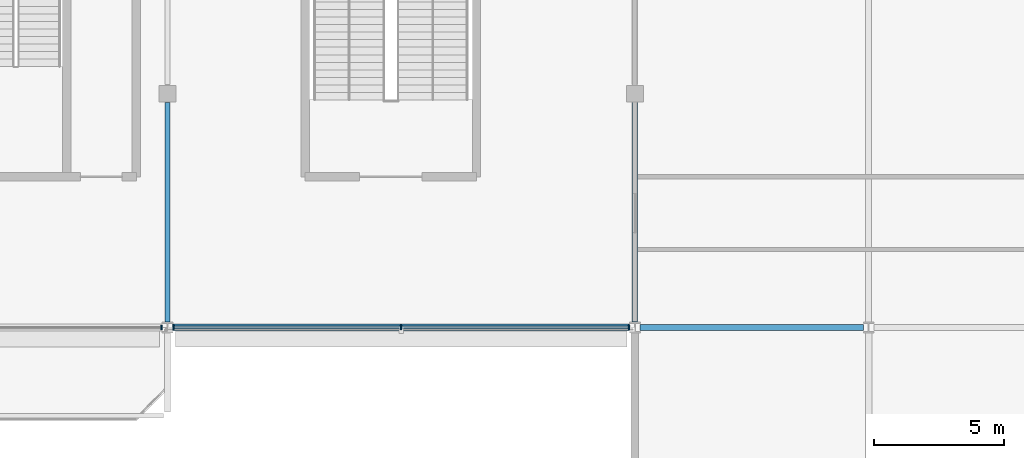
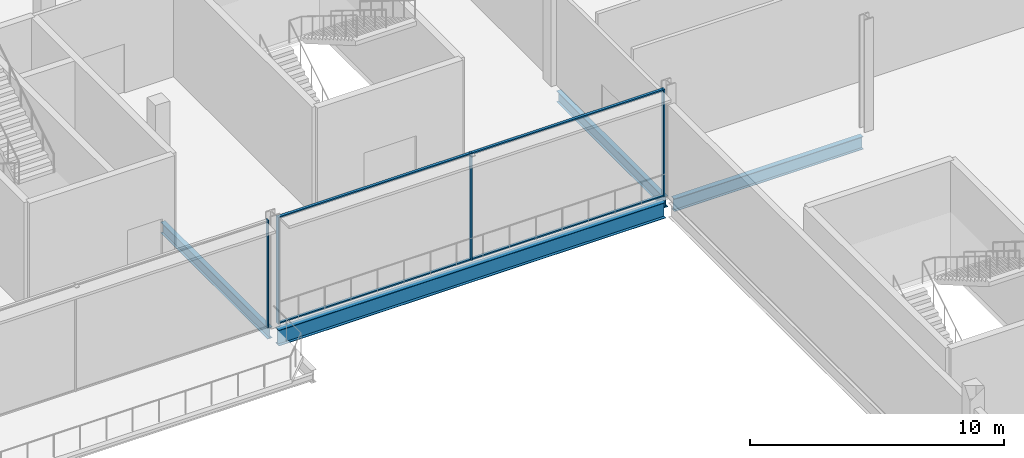
# One storey, part 54 of 113: 8 members, 4 beams, 2 elements without a shape of their own.
"""IFC4 building model written with IfcOpenShell, lengths in metres."""

from ifc_helpers import new_model, si_unit, direction, frame, origin, origin_2d, place, context, subcontext, project, spatial, rectangle, i_section, extrude, material, layer, layer_set, material_profile, profile_set, type_object, element, aggregate, save


model = new_model("IFC4")

# Units and contexts
model_context = context("Model", 3, precision=1e-05, world=origin(), true_north=direction((0.0, 1.0)))
body_context = subcontext(model_context, "Body", "Model", "MODEL_VIEW")
ifc_project = project(units=[si_unit("LENGTHUNIT", "METRE"), si_unit("AREAUNIT", "SQUARE_METRE"), si_unit("VOLUMEUNIT", "CUBIC_METRE"), si_unit("PLANEANGLEUNIT", "RADIAN"), si_unit("MASSUNIT", "GRAM", prefix="KILO")], contexts=[model_context])

# Site, building, storey
site_placement = place(None, origin())
site = spatial("IfcSite", under=ifc_project, at=site_placement, CompositionType="ELEMENT")
building_placement = place(site_placement, origin())
building = spatial("IfcBuilding", under=site, at=building_placement, Name="Kisiwana Market Hall", CompositionType="ELEMENT")
storey_placement = place(building_placement, frame((0.0, 0.0, 6.0)))
storey = spatial("IfcBuildingStorey", under=building, at=storey_placement, Name="L01", CompositionType="ELEMENT", Elevation=6.0)

# Beams
ifc_material_1 = material(Name="Steel S355", Category="steel")
ifc_material_profile_1 = material_profile(ifc_material_1, i_section(OverallWidth=0.209228515625, OverallDepth=0.533203125, WebThickness=0.010009765625, FlangeThickness=0.015625, at=origin_2d()), Name="UB 533x210x92")
ifc_profile_set_1 = profile_set([ifc_material_profile_1], Name="Steel S355")
beam_type_1 = type_object("IfcBeamType", Name="BM-GIRD-UB533", PredefinedType="BEAM", material=ifc_profile_set_1)
for number, where, z_axis, x_axis, name in (
    (1, (135.0, 84.21337890625, -0.5166015625), (0.0, 1.0, 0.0), (-1.0, 0.0, 0.0), "Primary girder B-0388"),
    (2, (153.0, 84.21337890625, -0.5166015625), (0.0, 1.0, 0.0), (-1.0, 0.0, 0.0), "Primary girder B-0395"),
):
    element("IfcBeam", number, at=place(storey_placement, frame(where, z_axis=z_axis, x_axis=x_axis)), inside=storey, type_object=beam_type_1, Name=name, PredefinedType="BEAM", context=body_context, shape_type="SweptSolid", body=[
        extrude(i_section(OverallWidth=0.209228515625, OverallDepth=0.533203125, WebThickness=0.010009765625, FlangeThickness=0.015625, at=origin_2d()), origin(), (0.0, 0.0, 1.0), 8.440673828125),
    ])
ifc_material_2 = material(Name="Steel S355", Category="steel")
ifc_material_profile_2 = material_profile(ifc_material_2, i_section(OverallWidth=0.22900390625, OverallDepth=0.6123046875, WebThickness=0.011962890625, FlangeThickness=0.01953125, at=origin_2d()), Name="UB 610x229x125")
ifc_profile_set_2 = profile_set([ifc_material_profile_2], Name="Steel S355")
beam_type_2 = type_object("IfcBeamType", Name="BM-GIRD-UB610H", PredefinedType="BEAM", material=ifc_profile_set_2)
beam_1_placement = place(storey_placement, frame((153.201904296875, 84.0, -0.55615234375), z_axis=(1.0, 0.0, 0.0), x_axis=(0.0, 1.0, 0.0)))
element("IfcBeam", 3, at=beam_1_placement, inside=storey, type_object=beam_type_2, Name="Floor beam B-0515", PredefinedType="BEAM", context=body_context, shape_type="SweptSolid", body=[
    extrude(i_section(OverallWidth=0.22900390625, OverallDepth=0.6123046875, WebThickness=0.011962890625, FlangeThickness=0.01953125, at=origin_2d()), origin(), (0.0, 0.0, 1.0), 8.59619140625),
])
ifc_material_3 = material(Name="Steel S355", Category="steel")
ifc_material_profile_3 = material_profile(ifc_material_3, i_section(OverallWidth=0.2666015625, OverallDepth=0.76220703125, WebThickness=0.014404296875, FlangeThickness=0.021484375, at=origin_2d()), Name="UB 762x267x173")
ifc_profile_set_3 = profile_set([ifc_material_profile_3], Name="Steel S355")
beam_type_3 = type_object("IfcBeamType", Name="BM-GIRD-UB762", PredefinedType="BEAM", material=ifc_profile_set_3)
beam_2_placement = place(storey_placement, frame((135.201904296875, 84.0, -0.631103515625), z_axis=(1.0, 0.0, 0.0), x_axis=(0.0, 1.0, 0.0)))
element("IfcBeam", 4, at=beam_2_placement, inside=storey, type_object=beam_type_3, Name="Floor beam B-0514", PredefinedType="BEAM", context=body_context, shape_type="SweptSolid", body=[
    extrude(i_section(OverallWidth=0.2666015625, OverallDepth=0.76220703125, WebThickness=0.014404296875, FlangeThickness=0.021484375, at=origin_2d()), origin(), (0.0, 0.0, 1.0), 17.59619140625),
])

# Curtain wall, member
ifc_material_4 = material(Name="Double-glazed solar-control low-E IGU", Category="glass")
ifc_layer = layer(ifc_material_4, 0.159912109375)
ifc_layer_set = layer_set([ifc_layer], Name="CW-FC-S-7600")
curtain_wall_type = type_object("IfcCurtainWallType", Name="CW-FC-S-7600", PredefinedType="USERDEFINED", material=ifc_layer_set)
curtain_wall_1_placement = place(storey_placement, origin())
curtain_wall_1 = element("IfcCurtainWall", 5, at=curtain_wall_1_placement, inside=storey, type_object=curtain_wall_type, Name="Unitised curtain wall CW-031 (L01)", ObjectType="UNITISED CURTAIN WALL", PredefinedType="USERDEFINED")
ifc_material_5 = material(Name="Aluminium alloy 6063-T6", Category="aluminium")
ifc_material_profile_4 = material_profile(ifc_material_5, rectangle(XDim=0.06005859375, YDim=0.159912109375, at=origin_2d()), Name="ALU MULLION 60x160")
ifc_profile_set_4 = profile_set([ifc_material_profile_4], Name="Aluminium alloy 6063-T6")
member_type_1 = type_object("IfcMemberType", Name="CW-MULL-60x160", PredefinedType="MULLION", material=ifc_profile_set_4)
member_1_placement = place(storey_placement, frame((134.763916015625, 84.0, 0.0), z_axis=(0.0, 0.0, 1.0), x_axis=(1.0, 0.0, 0.0)))
member_1 = element("IfcMember", 6, at=member_1_placement, type_object=member_type_1, Name="CW-031 mullion 3", PredefinedType="MULLION", context=body_context, shape_type="SweptSolid", body=[
    extrude(rectangle(XDim=0.06005859375, YDim=0.159912109375, at=origin_2d()), origin(), (0.0, 0.0, 1.0), 5.14990234375),
])
aggregate(curtain_wall_1, [member_1])

# Curtain wall, members
curtain_wall_2_placement = place(storey_placement, origin())
curtain_wall_2 = element("IfcCurtainWall", 7, at=curtain_wall_2_placement, inside=storey, type_object=curtain_wall_type, Name="Unitised curtain wall CW-032 (L01)", ObjectType="UNITISED CURTAIN WALL", PredefinedType="USERDEFINED")
member_2_placement = place(storey_placement, frame((135.236083984375, 84.0, 0.0), z_axis=(0.0, 0.0, 1.0), x_axis=(1.0, 0.0, 0.0)))
member_2 = element("IfcMember", 8, at=member_2_placement, type_object=member_type_1, Name="CW-032 mullion 1", PredefinedType="MULLION", context=body_context, shape_type="SweptSolid", body=[
    extrude(rectangle(XDim=0.06005859375, YDim=0.159912109375, at=origin_2d()), origin(), (0.0, 0.0, 1.0), 5.14990234375),
])
member_3_placement = place(storey_placement, frame((144.0, 84.0, 0.0), z_axis=(0.0, 0.0, 1.0), x_axis=(1.0, 0.0, 0.0)))
member_3 = element("IfcMember", 9, at=member_3_placement, type_object=member_type_1, Name="CW-032 mullion 2", PredefinedType="MULLION", context=body_context, shape_type="SweptSolid", body=[
    extrude(rectangle(XDim=0.06005859375, YDim=0.159912109375, at=origin_2d()), origin(), (0.0, 0.0, 1.0), 5.14990234375),
])
member_4_placement = place(storey_placement, frame((152.763916015625, 84.0, 0.0), z_axis=(0.0, 0.0, 1.0), x_axis=(1.0, 0.0, 0.0)))
member_4 = element("IfcMember", 10, at=member_4_placement, type_object=member_type_1, Name="CW-032 mullion 3", PredefinedType="MULLION", context=body_context, shape_type="SweptSolid", body=[
    extrude(rectangle(XDim=0.06005859375, YDim=0.159912109375, at=origin_2d()), origin(), (0.0, 0.0, 1.0), 5.14990234375),
])
ifc_material_6 = material(Name="Aluminium alloy 6063-T6", Category="aluminium")
ifc_material_profile_5 = material_profile(ifc_material_6, rectangle(XDim=0.1201171875, YDim=0.06005859375, at=origin_2d()), Name="ALU TRANSOM 60x120")
ifc_profile_set_5 = profile_set([ifc_material_profile_5], Name="Aluminium alloy 6063-T6")
member_type_2 = type_object("IfcMemberType", Name="CW-TRAN-60x120", PredefinedType="USERDEFINED", material=ifc_profile_set_5)
member_5_placement = place(storey_placement, frame((135.26611328125, 84.0, 0.030029296875), z_axis=(1.0, 0.0, 0.0), x_axis=(0.0, 1.0, 0.0)))
member_5 = element("IfcMember", 11, at=member_5_placement, type_object=member_type_2, Name="CW-032 transom 1.1", ObjectType="TRANSOM", PredefinedType="USERDEFINED", context=body_context, shape_type="SweptSolid", body=[
    extrude(rectangle(XDim=0.1201171875, YDim=0.06005859375, at=origin_2d()), origin(), (0.0, 0.0, 1.0), 8.703857421875),
])
member_6_placement = place(storey_placement, frame((135.26611328125, 84.0, 5.1201171875), z_axis=(1.0, 0.0, 0.0), x_axis=(0.0, 1.0, 0.0)))
member_6 = element("IfcMember", 12, at=member_6_placement, type_object=member_type_2, Name="CW-032 transom 1.2", ObjectType="TRANSOM", PredefinedType="USERDEFINED", context=body_context, shape_type="SweptSolid", body=[
    extrude(rectangle(XDim=0.1201171875, YDim=0.06005859375, at=origin_2d()), origin(), (0.0, 0.0, 1.0), 8.703857421875),
])
member_7_placement = place(storey_placement, frame((144.030029296875, 84.0, 0.030029296875), z_axis=(1.0, 0.0, 0.0), x_axis=(0.0, 1.0, 0.0)))
member_7 = element("IfcMember", 13, at=member_7_placement, type_object=member_type_2, Name="CW-032 transom 2.1", ObjectType="TRANSOM", PredefinedType="USERDEFINED", context=body_context, shape_type="SweptSolid", body=[
    extrude(rectangle(XDim=0.1201171875, YDim=0.06005859375, at=origin_2d()), origin(), (0.0, 0.0, 1.0), 8.703857421875),
])
member_8_placement = place(storey_placement, frame((144.030029296875, 84.0, 5.1201171875), z_axis=(1.0, 0.0, 0.0), x_axis=(0.0, 1.0, 0.0)))
member_8 = element("IfcMember", 14, at=member_8_placement, type_object=member_type_2, Name="CW-032 transom 2.2", ObjectType="TRANSOM", PredefinedType="USERDEFINED", context=body_context, shape_type="SweptSolid", body=[
    extrude(rectangle(XDim=0.1201171875, YDim=0.06005859375, at=origin_2d()), origin(), (0.0, 0.0, 1.0), 8.703857421875),
])
aggregate(curtain_wall_2, [member_2, member_3, member_4, member_5, member_6, member_7, member_8])

save(model, "model.ifc")
